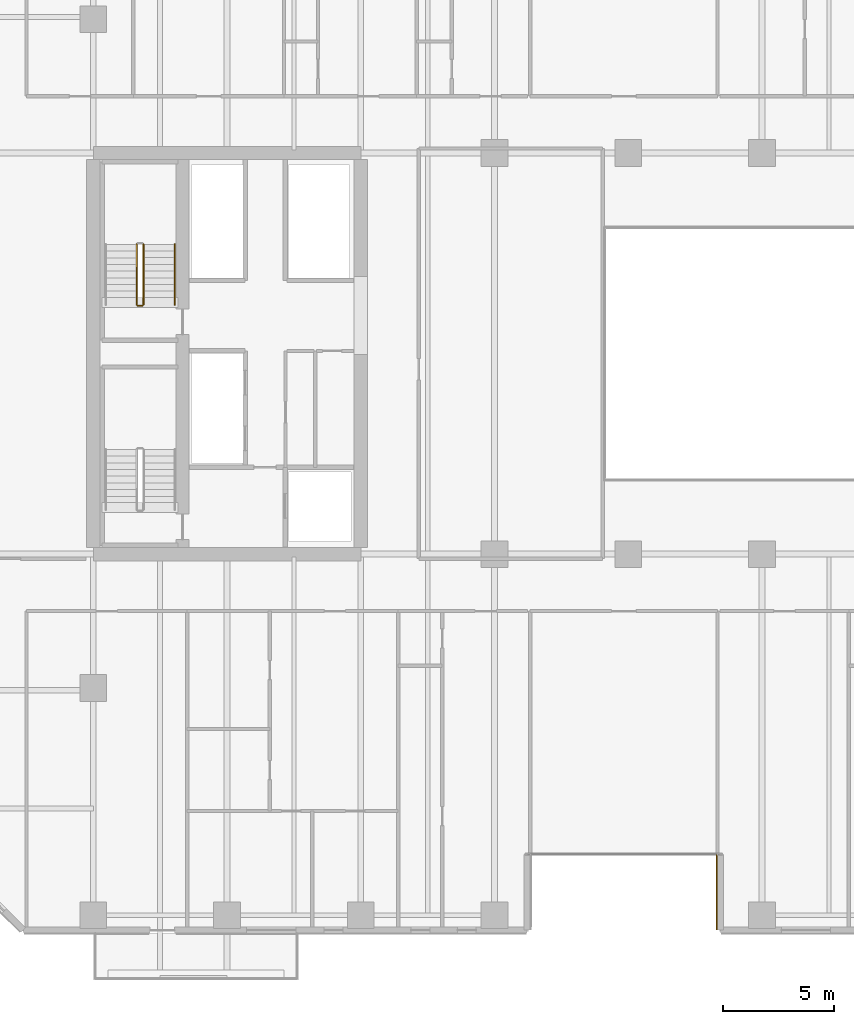
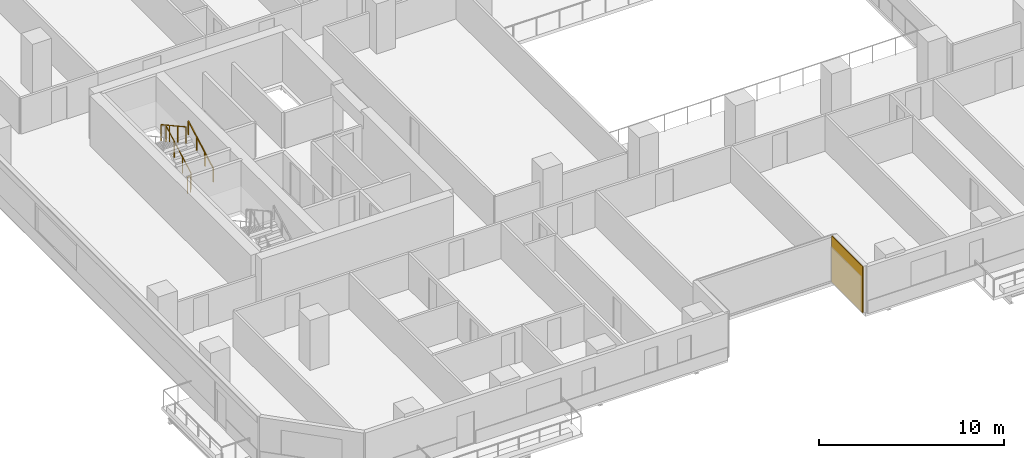
# One storey, part 20 of 26: 4 railings, 1 covering.
"""IFC4 building model written with IfcOpenShell, lengths in metres."""

from ifc_helpers import new_model, si_unit, direction, frame, origin, origin_2d, place, context, subcontext, project, spatial, rectangle, extrude, material, layer, layer_set, type_object, element, save


model = new_model("IFC4")

# Units and contexts
model_context = context("Model", 3, precision=1e-05, world=origin(), true_north=direction((0.0, 1.0)))
body_context = subcontext(model_context, "Body", "Model", "MODEL_VIEW")
ifc_project = project(units=[si_unit("LENGTHUNIT", "METRE"), si_unit("AREAUNIT", "SQUARE_METRE"), si_unit("VOLUMEUNIT", "CUBIC_METRE"), si_unit("PLANEANGLEUNIT", "RADIAN"), si_unit("MASSUNIT", "GRAM", prefix="KILO")], contexts=[model_context])

# Site, building, storey
site_placement = place(None, origin())
site = spatial("IfcSite", under=ifc_project, at=site_placement, CompositionType="ELEMENT")
building_placement = place(site_placement, origin())
building = spatial("IfcBuilding", under=site, at=building_placement, Name="Tanjung Sevakor Pilgrim Tower", CompositionType="ELEMENT")
storey_placement = place(building_placement, frame((0.0, 0.0, 45.5400390625)))
storey = spatial("IfcBuildingStorey", under=building, at=storey_placement, Name="L12", CompositionType="ELEMENT", Elevation=45.5400390625)

# Covering
ifc_material_1 = material(Name="Reconstructed Limestone Cladding", Category="masonry")
ifc_layer = layer(ifc_material_1, 0.044921875)
ifc_layer_set = layer_set([ifc_layer], Name="COV-CLAD-LIMESTONE")
covering_type = type_object("IfcCoveringType", Name="COV-CLAD-LIMESTONE", PredefinedType="CLADDING", material=ifc_layer_set)
covering_placement = place(storey_placement, frame((51.9775390625, 9.43994140625, 0.02001953125), z_axis=(0.0, 0.0, 1.0), x_axis=(0.0, -1.0, 0.0)))
element("IfcCovering", 1, at=covering_placement, inside=storey, type_object=covering_type, Name="L12 Warm Limestone Wall Cladding EW-L12-MAIN-4", PredefinedType="CLADDING", context=body_context, shape_type="SweptSolid", body=[
    extrude(rectangle(XDim=3.360107421875, YDim=0.044921875, at=origin_2d()), origin(), (0.0, 0.0, 1.0), 3.0400390625),
])

# Railings
ifc_material_2 = material(Name="Steel S355J2", Category="steel")
railing_type_1 = type_object("IfcRailingType", Name="RL-STAIR-GUARD", PredefinedType="GUARDRAIL", material=ifc_material_2)
railing_1_placement = place(storey_placement, frame((26.25, 35.800048828125, 0.1650390625)))
element("IfcRailing", 2, at=railing_1_placement, inside=storey, type_object=railing_type_1, Name="L12 TS-W2 stair guard 1", PredefinedType="GUARDRAIL", context=body_context, shape_type="SweptSolid", body=[
    extrude(rectangle(XDim=0.0479, YDim=0.0479), frame((0.0, 0.0, 1.076171875), z_axis=(0.0, 0.876230963923, 0.481891375584), x_axis=(-1.0, 0.0, 0.0)), (0.0, 0.0, 1.0), 3.081298828125),
    extrude(rectangle(XDim=0.042, YDim=0.042), origin(), (0.0, 0.0, 1.0), 1.052001953125),
    extrude(rectangle(XDim=0.042, YDim=0.042), frame((0.0, 0.89990234375, 0.494873046875)), (0.0, 0.0, 1.0), 1.052001953125),
    extrude(rectangle(XDim=0.042, YDim=0.042), frame((0.0, 1.800048828125, 0.989990234375)), (0.0, 0.0, 1.0), 1.052001953125),
    extrude(rectangle(XDim=0.042, YDim=0.042), frame((0.0, 2.699951171875, 1.48486328125)), (0.0, 0.0, 1.0), 1.052001953125),
])
railing_2_placement = place(storey_placement, frame((25.949951171875, 38.5, 1.81494140625)))
element("IfcRailing", 3, at=railing_2_placement, inside=storey, type_object=railing_type_1, Name="L12 TS-W2 stair guard 3", PredefinedType="GUARDRAIL", context=body_context, shape_type="SweptSolid", body=[
    extrude(rectangle(XDim=0.0479, YDim=0.0479), frame((0.0, 0.0, 1.076171875), z_axis=(0.0, -0.876197507361, 0.481952205197), x_axis=(1.0, 0.0, 0.0)), (0.0, 0.0, 1.0), 3.08154296875),
    extrude(rectangle(XDim=0.042, YDim=0.042), origin(), (0.0, 0.0, 1.0), 1.052001953125),
    extrude(rectangle(XDim=0.042, YDim=0.042), frame((0.0, -0.89990234375, 0.4951171875)), (0.0, 0.0, 1.0), 1.052001953125),
    extrude(rectangle(XDim=0.042, YDim=0.042), frame((0.0, -1.800048828125, 0.989990234375)), (0.0, 0.0, 1.0), 1.052001953125),
    extrude(rectangle(XDim=0.042, YDim=0.042), frame((0.0, -2.699951171875, 1.485107421875)), (0.0, 0.0, 1.0), 1.052001953125),
])
railing_3_placement = place(storey_placement, frame((26.199951171875, 35.75, 0.0)))
element("IfcRailing", 4, at=railing_3_placement, inside=storey, type_object=railing_type_1, Name="L12 TS-W2 stair guard 4", PredefinedType="GUARDRAIL", context=body_context, shape_type="SweptSolid", body=[
    extrude(rectangle(XDim=0.0479, YDim=0.0479), frame((0.0, 0.0, 1.076171875), z_axis=(-1.0, 0.0, 0.0), x_axis=(0.0, -1.0, 0.0)), (0.0, 0.0, 1.0), 0.199951171875),
    extrude(rectangle(XDim=0.042, YDim=0.042), origin(), (0.0, 0.0, 1.0), 1.052001953125),
    extrude(rectangle(XDim=0.042, YDim=0.042), frame((-0.199951171875, 0.0, 0.0)), (0.0, 0.0, 1.0), 1.052001953125),
])
ifc_material_3 = material(Name="Steel S355J2", Category="steel")
railing_type_2 = type_object("IfcRailingType", Name="RL-STAIR-HAND", PredefinedType="HANDRAIL", material=ifc_material_3)
railing_4_placement = place(storey_placement, frame((27.64990234375, 35.800048828125, 0.1650390625)))
element("IfcRailing", 5, at=railing_4_placement, inside=storey, type_object=railing_type_2, Name="L12 TS-W2 stair handrail 1", PredefinedType="HANDRAIL", context=body_context, shape_type="SweptSolid", body=[
    extrude(rectangle(XDim=0.0479, YDim=0.0479), frame((0.0, 0.0, 0.8759765625), z_axis=(0.0, 0.876230963923, 0.481891375584), x_axis=(-1.0, 0.0, 0.0)), (0.0, 0.0, 1.0), 3.081298828125),
    extrude(rectangle(XDim=0.042, YDim=0.042), origin(), (0.0, 0.0, 1.0), 0.851806640625),
    extrude(rectangle(XDim=0.042, YDim=0.042), frame((0.0, 0.89990234375, 0.494873046875)), (0.0, 0.0, 1.0), 0.851806640625),
    extrude(rectangle(XDim=0.042, YDim=0.042), frame((0.0, 1.800048828125, 0.989990234375)), (0.0, 0.0, 1.0), 0.851806640625),
    extrude(rectangle(XDim=0.042, YDim=0.042), frame((0.0, 2.699951171875, 1.48486328125)), (0.0, 0.0, 1.0), 0.851806640625),
])

save(model, "model.ifc")
